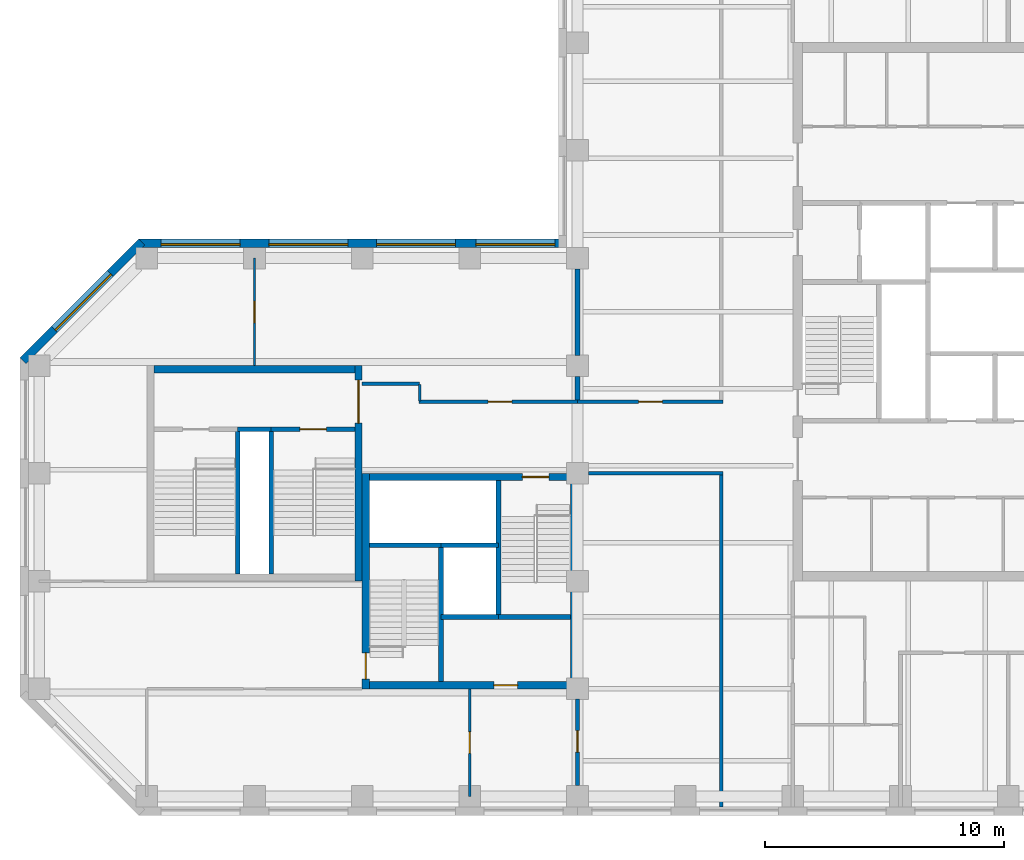
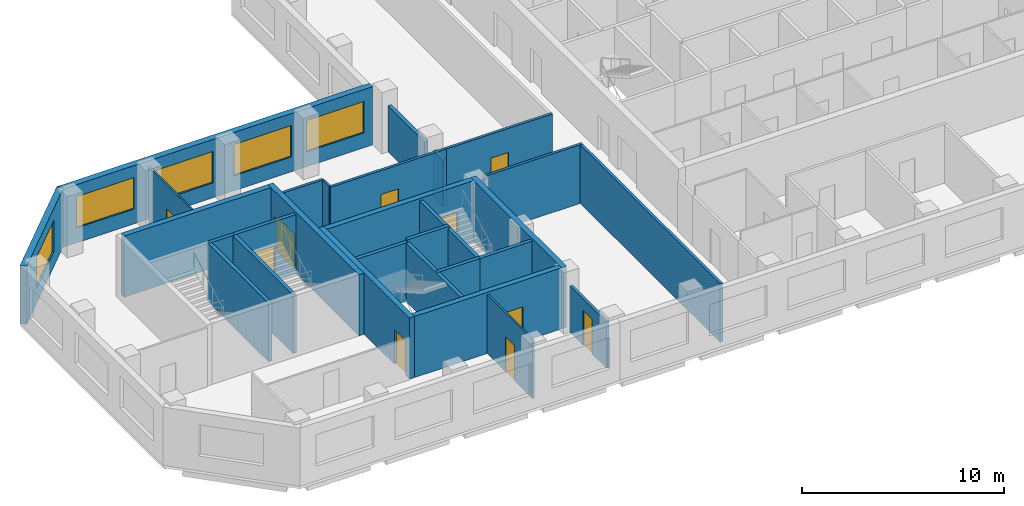
# One storey, part 3 of 9: 29 walls, 10 doors, 5 windows, 15 openings.
"""IFC4 building model written with IfcOpenShell, lengths in metres."""

from ifc_helpers import new_model, si_unit, direction, frame, frame_2d, origin, place, context, subcontext, project, spatial, rectangle, extrude, material, layer, layer_set, constituent, constituent_set, type_object, element, fill, save


model = new_model("IFC4")

# Units and contexts
model_context = context("Model", 3, precision=1e-05, world=origin(), true_north=direction((0.0, 1.0)))
body_context = subcontext(model_context, "Body", "Model", "MODEL_VIEW")
ifc_project = project(units=[si_unit("LENGTHUNIT", "METRE"), si_unit("AREAUNIT", "SQUARE_METRE"), si_unit("VOLUMEUNIT", "CUBIC_METRE"), si_unit("PLANEANGLEUNIT", "RADIAN"), si_unit("MASSUNIT", "GRAM", prefix="KILO")], contexts=[model_context])

# Site, building, storey
site_placement = place(None, origin())
site = spatial("IfcSite", under=ifc_project, at=site_placement, CompositionType="ELEMENT")
building_placement = place(site_placement, origin())
building = spatial("IfcBuilding", under=site, at=building_placement, Name="Quoin Convention Tower", CompositionType="ELEMENT")
storey_placement = place(building_placement, frame((0.0, 0.0, 252.60009765625)))
storey = spatial("IfcBuildingStorey", under=building, at=storey_placement, Name="L66", CompositionType="ELEMENT", Elevation=252.60009765625)

# Wall, openings, windows
ifc_material_1 = material(Name="Brick masonry", Category="masonry")
ifc_layer_1 = layer(ifc_material_1, 0.35009765625)
ifc_layer_set_1 = layer_set([ifc_layer_1], Name="Brick masonry")
wall_type_1 = type_object("IfcWallType", Name="Brick facade wall", PredefinedType="STANDARD", material=ifc_layer_set_1)
wall_1_placement = place(storey_placement, frame((35.550048828125, 63.625, 0.0), z_axis=(0.0, 0.0, 1.0), x_axis=(-1.0, 0.0, 0.0)))
wall_1 = element("IfcWall", 1, at=wall_1_placement, inside=storey, type_object=wall_type_1, Name="fw-L66-36000_63000", PredefinedType="STANDARD", context=body_context, shape_type="SweptSolid", body=[
    extrude(rectangle(XDim=17.88134765625, YDim=0.35009765625, at=frame_2d((8.940673828125, 0.0))), origin(), (0.0, 0.0, 1.0), 3.52490234375),
])
opening_1_placement = place(wall_1_placement, frame((0.5, 0.0, 0.89990234375)))
opening_1 = element("IfcOpeningElement", 2, at=opening_1_placement, cuts=wall_1, Name="Opening W-02", PredefinedType="OPENING", context=body_context, shape_type="SweptSolid", body=[
    extrude(rectangle(XDim=3.300048828125, YDim=1.89990234375, at=frame_2d((1.64990234375, 0.949951171875))), frame((0.0, 0.18505859375, 0.0), z_axis=(0.0, -1.0, 0.0), x_axis=(1.0, 0.0, 0.0)), (0.0, 0.0, 1.0), 0.3701171875),
])
opening_2_placement = place(wall_1_placement, frame((4.64990234375, 0.0, 0.89990234375)))
opening_2 = element("IfcOpeningElement", 3, at=opening_2_placement, cuts=wall_1, Name="Opening W-02", PredefinedType="OPENING", context=body_context, shape_type="SweptSolid", body=[
    extrude(rectangle(XDim=3.300048828125, YDim=1.89990234375, at=frame_2d((1.64990234375, 0.949951171875))), frame((0.0, 0.18505859375, 0.0), z_axis=(0.0, -1.0, 0.0), x_axis=(1.0, 0.0, 0.0)), (0.0, 0.0, 1.0), 0.3701171875),
])
opening_3_placement = place(wall_1_placement, frame((9.14990234375, 0.0, 0.89990234375)))
opening_3 = element("IfcOpeningElement", 4, at=opening_3_placement, cuts=wall_1, Name="Opening W-02", PredefinedType="OPENING", context=body_context, shape_type="SweptSolid", body=[
    extrude(rectangle(XDim=3.300048828125, YDim=1.89990234375, at=frame_2d((1.64990234375, 0.949951171875))), frame((0.0, 0.18505859375, 0.0), z_axis=(0.0, -1.0, 0.0), x_axis=(1.0, 0.0, 0.0)), (0.0, 0.0, 1.0), 0.3701171875),
])
opening_4_placement = place(wall_1_placement, frame((13.64990234375, 0.0, 0.89990234375)))
opening_4 = element("IfcOpeningElement", 5, at=opening_4_placement, cuts=wall_1, Name="Opening W-02", PredefinedType="OPENING", context=body_context, shape_type="SweptSolid", body=[
    extrude(rectangle(XDim=3.300048828125, YDim=1.89990234375, at=frame_2d((1.64990234375, 0.949951171875))), frame((0.0, 0.18505859375, 0.0), z_axis=(0.0, -1.0, 0.0), x_axis=(1.0, 0.0, 0.0)), (0.0, 0.0, 1.0), 0.3701171875),
])
ifc_material_2 = material(Name="Aluminium", Category="aluminium")
ifc_constituent_1 = constituent(ifc_material_2, Name="Frame")
ifc_material_3 = material(Name="Insulated glass", Category="glass")
ifc_constituent_2 = constituent(ifc_material_3, Name="Glazing")
ifc_constituent_set = constituent_set(constituents=[ifc_constituent_1, ifc_constituent_2], Name="Aluminium")
window_type = type_object("IfcWindowType", Name="Office window", PartitioningType="DOUBLE_PANEL_VERTICAL", PredefinedType="WINDOW", material=ifc_constituent_set)
window_1_placement = place(opening_1_placement, origin())
window_1 = element("IfcWindow", 6, at=window_1_placement, inside=storey, type_object=window_type, Name="win-L66-33750_63625", OverallHeight=1.89990234375, OverallWidth=3.300048828125, PartitioningType="SINGLE_PANEL", PredefinedType="WINDOW", context=body_context, shape_type="SweptSolid", body=[
    extrude(rectangle(XDim=3.300048828125, YDim=1.89990234375, at=frame_2d((1.64990234375, 0.949951171875))), frame((0.0, 0.0849609375, 0.0), z_axis=(0.0, -1.0, 0.0), x_axis=(1.0, 0.0, 0.0)), (0.0, 0.0, 1.0), 0.06005859375),
])
fill(opening_1, window_1)
window_2_placement = place(opening_2_placement, origin())
window_2 = element("IfcWindow", 7, at=window_2_placement, inside=storey, type_object=window_type, Name="win-L66-29250_63625", OverallHeight=1.89990234375, OverallWidth=3.300048828125, PartitioningType="SINGLE_PANEL", PredefinedType="WINDOW", context=body_context, shape_type="SweptSolid", body=[
    extrude(rectangle(XDim=3.300048828125, YDim=1.89990234375, at=frame_2d((1.64990234375, 0.949951171875))), frame((0.0, 0.0849609375, 0.0), z_axis=(0.0, -1.0, 0.0), x_axis=(1.0, 0.0, 0.0)), (0.0, 0.0, 1.0), 0.06005859375),
])
fill(opening_2, window_2)
window_3_placement = place(opening_3_placement, origin())
window_3 = element("IfcWindow", 8, at=window_3_placement, inside=storey, type_object=window_type, Name="win-L66-24750_63625", OverallHeight=1.89990234375, OverallWidth=3.300048828125, PartitioningType="SINGLE_PANEL", PredefinedType="WINDOW", context=body_context, shape_type="SweptSolid", body=[
    extrude(rectangle(XDim=3.300048828125, YDim=1.89990234375, at=frame_2d((1.64990234375, 0.949951171875))), frame((0.0, 0.0849609375, 0.0), z_axis=(0.0, -1.0, 0.0), x_axis=(1.0, 0.0, 0.0)), (0.0, 0.0, 1.0), 0.06005859375),
])
fill(opening_3, window_3)
window_4_placement = place(opening_4_placement, origin())
window_4 = element("IfcWindow", 9, at=window_4_placement, inside=storey, type_object=window_type, Name="win-L66-20250_63625", OverallHeight=1.89990234375, OverallWidth=3.300048828125, PartitioningType="SINGLE_PANEL", PredefinedType="WINDOW", context=body_context, shape_type="SweptSolid", body=[
    extrude(rectangle(XDim=3.300048828125, YDim=1.89990234375, at=frame_2d((1.64990234375, 0.949951171875))), frame((0.0, 0.0849609375, 0.0), z_axis=(0.0, -1.0, 0.0), x_axis=(1.0, 0.0, 0.0)), (0.0, 0.0, 1.0), 0.06005859375),
])
fill(opening_4, window_4)

# Wall, opening, window
wall_2_placement = place(storey_placement, frame((17.79248046875, 63.67626953125, 0.0), z_axis=(0.0, 0.0, 1.0), x_axis=(-0.707106781187, -0.707106781187, 0.0)))
wall_2 = element("IfcWall", 10, at=wall_2_placement, inside=storey, type_object=wall_type_1, Name="fw-L66-18000_63000", PredefinedType="STANDARD", context=body_context, shape_type="SweptSolid", body=[
    extrude(rectangle(XDim=7.02685546875, YDim=0.35009765625, at=frame_2d((3.513427734375, 0.0))), origin(), (0.0, 0.0, 1.0), 3.52490234375),
])
opening_5_placement = place(wall_2_placement, frame((1.86328125, 0.0, 0.89990234375)))
opening_5 = element("IfcOpeningElement", 11, at=opening_5_placement, cuts=wall_2, Name="Opening W-02", PredefinedType="OPENING", context=body_context, shape_type="SweptSolid", body=[
    extrude(rectangle(XDim=3.300048828125, YDim=1.89990234375, at=frame_2d((1.64990234375, 0.949951171875))), frame((0.0, 0.18505859375, 0.0), z_axis=(0.0, -1.0, 0.0), x_axis=(1.0, 0.0, 0.0)), (0.0, 0.0, 1.0), 0.3701171875),
])
window_5_placement = place(opening_5_placement, origin())
window_5 = element("IfcWindow", 12, at=window_5_placement, inside=storey, type_object=window_type, Name="win-L66-15308_61192", OverallHeight=1.89990234375, OverallWidth=3.300048828125, PartitioningType="SINGLE_PANEL", PredefinedType="WINDOW", context=body_context, shape_type="SweptSolid", body=[
    extrude(rectangle(XDim=3.300048828125, YDim=1.89990234375, at=frame_2d((1.64990234375, 0.949951171875))), frame((0.0, 0.0849609375, 0.0), z_axis=(0.0, -1.0, 0.0), x_axis=(1.0, 0.0, 0.0)), (0.0, 0.0, 1.0), 0.06005859375),
])
fill(opening_5, window_5)

# Walls
ifc_material_4 = material(Name="Concrete C50", Category="concrete")
ifc_layer_2 = layer(ifc_material_4, 0.199951171875)
ifc_layer_set_2 = layer_set([ifc_layer_2], Name="Concrete C50")
wall_type_2 = type_object("IfcWallType", Name="Core shaft wall", PredefinedType="SOLIDWALL", material=ifc_layer_set_2)
wall_3_placement = place(storey_placement, frame((30.300048828125, 48.0, 0.0), z_axis=(0.0, 0.0, 1.0), x_axis=(1.0, 0.0, 0.0)))
element("IfcWall", 13, at=wall_3_placement, inside=storey, type_object=wall_type_2, Name="cr-P2-L66-h3000_3300", PredefinedType="SOLIDWALL", context=body_context, shape_type="SweptSolid", body=[
    extrude(rectangle(XDim=2.39990234375, YDim=0.199951171875, at=frame_2d((1.199951171875, 0.0))), origin(), (0.0, 0.0, 1.0), 3.5498046875),
])
for number, where, z_axis, x_axis, name in (
    (14, (32.699951171875, 48.0, 0.0), (0.0, 0.0, 1.0), (1.0, 0.0, 0.0), "cr-P2-L66-h3000_5700"),
    (15, (27.300048828125, 51.0, 0.0), (0.0, 0.0, 1.0), (1.0, 0.0, 0.0), "cr-P2-L66-h6000_300"),
):
    element("IfcWall", number, at=place(storey_placement, frame(where, z_axis=z_axis, x_axis=x_axis)), inside=storey, type_object=wall_type_2, Name=name, PredefinedType="SOLIDWALL", context=body_context, shape_type="SweptSolid", body=[
        extrude(rectangle(XDim=3.0, YDim=0.199951171875, at=frame_2d((1.5, 0.0))), origin(), (0.0, 0.0, 1.0), 3.5498046875),
    ])
for number, where, z_axis, x_axis, name in (
    (16, (30.300048828125, 45.300048828125, 0.0), (0.0, 0.0, 1.0), (0.0, 1.0, 0.0), "cr-P2-L66-v3300_300"),
    (17, (32.699951171875, 48.0, 0.0), (0.0, 0.0, 1.0), (0.0, 1.0, 0.0), "cr-P2-L66-v5700_3000"),
):
    element("IfcWall", number, at=place(storey_placement, frame(where, z_axis=z_axis, x_axis=x_axis)), inside=storey, type_object=wall_type_2, Name=name, PredefinedType="SOLIDWALL", context=body_context, shape_type="SweptSolid", body=[
        extrude(rectangle(XDim=5.699951171875, YDim=0.199951171875, at=frame_2d((2.85009765625, 0.0))), origin(), (0.0, 0.0, 1.0), 3.5498046875),
    ])
wall_4_placement = place(storey_placement, frame((21.800048828125, 55.85009765625, 0.0), z_axis=(0.0, 0.0, 1.0), x_axis=(1.0, 0.0, 0.0)))
element("IfcWall", 18, at=wall_4_placement, inside=storey, type_object=wall_type_2, Name="cr-P6-L66-h6350_3800", PredefinedType="SOLIDWALL", context=body_context, shape_type="SweptSolid", body=[
    extrude(rectangle(XDim=1.39990234375, YDim=0.199951171875, at=frame_2d((0.699951171875, 0.0))), origin(), (0.0, 0.0, 1.0), 3.5498046875),
])

# Wall, opening, door
wall_5_placement = place(storey_placement, frame((23.199951171875, 55.85009765625, 0.0), z_axis=(0.0, 0.0, 1.0), x_axis=(1.0, 0.0, 0.0)))
wall_5 = element("IfcWall", 19, at=wall_5_placement, inside=storey, type_object=wall_type_2, Name="cr-P6-L66-h6350_5200", PredefinedType="SOLIDWALL", context=body_context, shape_type="SweptSolid", body=[
    extrude(rectangle(XDim=3.5, YDim=0.199951171875, at=frame_2d((1.75, 0.0))), origin(), (0.0, 0.0, 1.0), 3.5498046875),
])
opening_6_placement = place(wall_5_placement, frame((1.199951171875, 0.0, 0.0)))
opening_6 = element("IfcOpeningElement", 20, at=opening_6_placement, cuts=wall_5, Name="Opening SD12", PredefinedType="OPENING", context=body_context, shape_type="SweptSolid", body=[
    extrude(rectangle(XDim=1.10009765625, YDim=2.10009765625, at=frame_2d((0.550048828125, 1.050048828125))), frame((0.0, 0.10986328125, 0.0), z_axis=(0.0, -1.0, 0.0), x_axis=(1.0, 0.0, 0.0)), (0.0, 0.0, 1.0), 0.219970703125),
])
ifc_material_5 = material(Name="Steel door leaf", Category="steel")
door_type_1 = type_object("IfcDoorType", Name="Stair door 1100 x 2100", OperationType="SINGLE_SWING_RIGHT", PredefinedType="DOOR", material=ifc_material_5)
door_1_placement = place(opening_6_placement, origin())
door_1 = element("IfcDoor", 21, at=door_1_placement, inside=storey, type_object=door_type_1, Name="cd-P6-L66-SB-R2-SD12", OperationType="SINGLE_SWING_RIGHT", OverallHeight=2.10009765625, OverallWidth=1.10009765625, PredefinedType="DOOR", context=body_context, shape_type="SweptSolid", body=[
    extrude(rectangle(XDim=1.10009765625, YDim=2.10009765625, at=frame_2d((0.550048828125, 1.050048828125))), frame((0.0, 0.02490234375, 0.0), z_axis=(0.0, -1.0, 0.0), x_axis=(1.0, 0.0, 0.0)), (0.0, 0.0, 1.0), 0.050048828125),
])
fill(opening_6, door_1)

# Walls
for number, where, z_axis, x_axis, name in (
    (22, (21.800048828125, 49.800048828125, 0.0), (0.0, 0.0, 1.0), (0.0, 1.0, 0.0), "cr-P6-L66-v3800_300"),
    (23, (23.199951171875, 49.800048828125, 0.0), (0.0, 0.0, 1.0), (0.0, 1.0, 0.0), "cr-P6-L66-v5200_300"),
):
    element("IfcWall", number, at=place(storey_placement, frame(where, z_axis=z_axis, x_axis=x_axis)), inside=storey, type_object=wall_type_2, Name=name, PredefinedType="SOLIDWALL", context=body_context, shape_type="SweptSolid", body=[
        extrude(rectangle(XDim=6.050048828125, YDim=0.199951171875, at=frame_2d((3.02490234375, 0.0))), origin(), (0.0, 0.0, 1.0), 3.5498046875),
    ])
ifc_layer_3 = layer(ifc_material_4, 0.199951171875)
ifc_layer_set_3 = layer_set([ifc_layer_3], Name="Concrete C50")
wall_type_3 = type_object("IfcWallType", Name="Core shaft wall to the floor level over", PredefinedType="SOLIDWALL", material=ifc_layer_set_3)
wall_6_placement = place(storey_placement, frame((30.300048828125, 51.0, 0.0), z_axis=(0.0, 0.0, 1.0), x_axis=(1.0, 0.0, 0.0)))
element("IfcWall", 24, at=wall_6_placement, inside=storey, type_object=wall_type_3, Name="cr-P2-L66-h6000_3300", PredefinedType="SOLIDWALL", context=body_context, shape_type="SweptSolid", body=[
    extrude(rectangle(XDim=2.39990234375, YDim=0.199951171875, at=frame_2d((1.199951171875, 0.0))), origin(), (0.0, 0.0, 1.0), 3.699951171875),
])
ifc_material_6 = material(Name="Plasterboard")
ifc_layer_4 = layer(ifc_material_6, 0.012451171875, Name="Finish")
ifc_material_7 = material(Name="Steel stud framing", Category="steel")
ifc_layer_5 = layer(ifc_material_7, 0.125, Name="Structure")
ifc_layer_6 = layer(ifc_material_6, 0.012451171875, Name="Finish")
ifc_layer_set_4 = layer_set([ifc_layer_4, ifc_layer_5, ifc_layer_6], Name="Steel stud framing")
wall_type_4 = type_object("IfcWallType", Name="Corridor wall 150", PredefinedType="PARTITIONING", material=ifc_layer_set_4)
wall_7_placement = place(storey_placement, frame((36.449951171875, 54.0, 0.0), z_axis=(0.0, 0.0, 1.0), x_axis=(1.0, 0.0, 0.0)))
element("IfcWall", 25, at=wall_7_placement, inside=storey, type_object=wall_type_4, Name="pw-L66-016", PredefinedType="PARTITIONING", context=body_context, shape_type="SweptSolid", body=[
    extrude(rectangle(XDim=5.625, YDim=0.14990234375, at=frame_2d((2.8125, 0.0))), origin(), (0.0, 0.0, 1.0), 3.5498046875),
])

# Wall, opening, door
wall_8_placement = place(storey_placement, frame((29.3798828125, 57.0, 0.0), z_axis=(0.0, 0.0, 1.0), x_axis=(1.0, 0.0, 0.0)))
wall_8 = element("IfcWall", 26, at=wall_8_placement, inside=storey, type_object=wall_type_4, Name="pw-L66-018", PredefinedType="PARTITIONING", context=body_context, shape_type="SweptSolid", body=[
    extrude(rectangle(XDim=6.6201171875, YDim=0.14990234375, at=frame_2d((3.31005859375, 0.0))), origin(), (0.0, 0.0, 1.0), 3.5498046875),
])
opening_7_placement = place(wall_8_placement, frame((2.8798828125, 0.0, 0.0)))
opening_7 = element("IfcOpeningElement", 27, at=opening_7_placement, cuts=wall_8, Name="Opening DOH12-05", PredefinedType="OPENING", context=body_context, shape_type="SweptSolid", body=[
    extrude(rectangle(XDim=1.0, YDim=2.10009765625, at=frame_2d((0.5, 1.050048828125))), frame((0.0, 0.0849609375, 0.0), z_axis=(0.0, -1.0, 0.0), x_axis=(1.0, 0.0, 0.0)), (0.0, 0.0, 1.0), 0.169921875),
])
door_type_2 = type_object("IfcDoorType", Name="Tenancy entrance door 1000 x 2100", OperationType="DOUBLE_DOOR_SINGLE_SWING", PredefinedType="DOOR", material=ifc_material_5)
door_2_placement = place(opening_7_placement, origin())
door_2 = element("IfcDoor", 28, at=door_2_placement, inside=storey, type_object=door_type_2, Name="dr-L66-w01", OperationType="DOUBLE_DOOR_SINGLE_SWING", OverallHeight=2.10009765625, OverallWidth=1.0, PredefinedType="DOOR", context=body_context, shape_type="SweptSolid", body=[
    extrude(rectangle(XDim=1.0, YDim=2.10009765625, at=frame_2d((0.5, 1.050048828125))), frame((0.0, 0.02490234375, 0.0), z_axis=(0.0, -1.0, 0.0), x_axis=(1.0, 0.0, 0.0)), (0.0, 0.0, 1.0), 0.050048828125),
])
fill(opening_7, door_2)

wall_9_placement = place(storey_placement, frame((36.0, 57.0, 0.0), z_axis=(0.0, 0.0, 1.0), x_axis=(1.0, 0.0, 0.0)))
wall_9 = element("IfcWall", 29, at=wall_9_placement, inside=storey, type_object=wall_type_4, Name="pw-L66-019", PredefinedType="PARTITIONING", context=body_context, shape_type="SweptSolid", body=[
    extrude(rectangle(XDim=6.074951171875, YDim=0.14990234375, at=frame_2d((3.03759765625, 0.0))), origin(), (0.0, 0.0, 1.0), 3.5498046875),
])
opening_8_placement = place(wall_9_placement, frame((2.550048828125, 0.0, 0.0)))
opening_8 = element("IfcOpeningElement", 30, at=opening_8_placement, cuts=wall_9, Name="Opening DOH12-06", PredefinedType="OPENING", context=body_context, shape_type="SweptSolid", body=[
    extrude(rectangle(XDim=1.0, YDim=2.10009765625, at=frame_2d((0.5, 1.050048828125))), frame((0.0, 0.0849609375, 0.0), z_axis=(0.0, -1.0, 0.0), x_axis=(1.0, 0.0, 0.0)), (0.0, 0.0, 1.0), 0.169921875),
])
door_3_placement = place(opening_8_placement, origin())
door_3 = element("IfcDoor", 31, at=door_3_placement, inside=storey, type_object=door_type_2, Name="dr-L66-10", OperationType="DOUBLE_DOOR_SINGLE_SWING", OverallHeight=2.10009765625, OverallWidth=1.0, PredefinedType="DOOR", context=body_context, shape_type="SweptSolid", body=[
    extrude(rectangle(XDim=1.0, YDim=2.10009765625, at=frame_2d((0.5, 1.050048828125))), frame((0.0, 0.02490234375, 0.0), z_axis=(0.0, -1.0, 0.0), x_axis=(1.0, 0.0, 0.0)), (0.0, 0.0, 1.0), 0.050048828125),
])
fill(opening_8, door_3)

# Walls
wall_10_placement = place(storey_placement, frame((42.0, 40.050048828125, 0.0), z_axis=(0.0, 0.0, 1.0), x_axis=(0.0, 1.0, 0.0)))
element("IfcWall", 32, at=wall_10_placement, inside=storey, type_object=wall_type_4, Name="pw-L66-034", PredefinedType="PARTITIONING", context=body_context, shape_type="SweptSolid", body=[
    extrude(rectangle(XDim=13.875, YDim=0.14990234375, at=frame_2d((6.9375, 0.0))), origin(), (0.0, 0.0, 1.0), 3.5498046875),
])
wall_11_placement = place(storey_placement, frame((27.0, 57.75, 0.0), z_axis=(0.0, 0.0, 1.0), x_axis=(1.0, 0.0, 0.0)))
element("IfcWall", 33, at=wall_11_placement, inside=storey, type_object=wall_type_4, Name="pw-L66-w06", PredefinedType="PARTITIONING", context=body_context, shape_type="SweptSolid", body=[
    extrude(rectangle(XDim=2.39990234375, YDim=0.14990234375, at=frame_2d((1.199951171875, 0.0))), origin(), (0.0, 0.0, 1.0), 3.5498046875),
])

# Wall, opening, door
ifc_layer_7 = layer(ifc_material_6, 0.012451171875, Name="Finish")
ifc_layer_8 = layer(ifc_material_7, 0.125, Name="Structure")
ifc_layer_9 = layer(ifc_material_6, 0.012451171875, Name="Finish")
ifc_layer_set_5 = layer_set([ifc_layer_7, ifc_layer_8, ifc_layer_9], Name="Steel stud framing")
wall_type_5 = type_object("IfcWallType", Name="Corridor wall 150 under beam 750", PredefinedType="PARTITIONING", material=ifc_layer_set_5)
wall_12_placement = place(storey_placement, frame((36.0, 40.949951171875, 0.0), z_axis=(0.0, 0.0, 1.0), x_axis=(0.0, 1.0, 0.0)))
wall_12 = element("IfcWall", 34, at=wall_12_placement, inside=storey, type_object=wall_type_5, Name="pw-L66-041", PredefinedType="PARTITIONING", context=body_context, shape_type="SweptSolid", body=[
    extrude(rectangle(XDim=3.630126953125, YDim=0.14990234375, at=frame_2d((1.81494140625, 0.0))), origin(), (0.0, 0.0, 1.0), 2.7998046875),
])
opening_9_placement = place(wall_12_placement, frame((1.39990234375, 0.0, 0.0)))
opening_9 = element("IfcOpeningElement", 35, at=opening_9_placement, cuts=wall_12, Name="Opening DOH12-09", PredefinedType="OPENING", context=body_context, shape_type="SweptSolid", body=[
    extrude(rectangle(XDim=0.89990234375, YDim=2.10009765625, at=frame_2d((0.449951171875, 1.050048828125))), frame((0.0, 0.0849609375, 0.0), z_axis=(0.0, -1.0, 0.0), x_axis=(1.0, 0.0, 0.0)), (0.0, 0.0, 1.0), 0.169921875),
])
door_type_3 = type_object("IfcDoorType", Name="Office door 900 x 2100", OperationType="SINGLE_SWING_RIGHT", PredefinedType="DOOR", material=ifc_material_5)
door_4_placement = place(opening_9_placement, frame((0.89990234375, 0.0, 0.0), z_axis=(0.0, 0.0, 1.0), x_axis=(-1.0, 0.0, 0.0)))
door_4 = element("IfcDoor", 36, at=door_4_placement, inside=storey, type_object=door_type_3, Name="dr-L66-01", OperationType="SINGLE_SWING_LEFT", OverallHeight=2.10009765625, OverallWidth=0.89990234375, PredefinedType="DOOR", context=body_context, shape_type="SweptSolid", body=[
    extrude(rectangle(XDim=0.89990234375, YDim=2.10009765625, at=frame_2d((0.449951171875, 1.050048828125))), frame((0.0, 0.02490234375, 0.0), z_axis=(0.0, -1.0, 0.0), x_axis=(1.0, 0.0, 0.0)), (0.0, 0.0, 1.0), 0.050048828125),
])
fill(opening_9, door_4)

ifc_layer_10 = layer(ifc_material_4, 0.300048828125)
ifc_layer_set_6 = layer_set([ifc_layer_10], Name="Concrete C50")
wall_type_6 = type_object("IfcWallType", Name="RC CORE WALL 300 C50", PredefinedType="SHEAR", material=ifc_layer_set_6)
wall_13_placement = place(storey_placement, frame((27.300048828125, 45.14990234375, 0.0), z_axis=(0.0, 0.0, 1.0), x_axis=(1.0, 0.0, 0.0)))
wall_13 = element("IfcWall", 37, at=wall_13_placement, inside=storey, type_object=wall_type_6, Name="cwl-P2-L66-S", PredefinedType="SHEAR", context=body_context, shape_type="SweptSolid", body=[
    extrude(rectangle(XDim=8.39990234375, YDim=0.300048828125, at=frame_2d((4.199951171875, 0.0))), origin(), (0.0, 0.0, 1.0), 3.699951171875),
])
opening_10_placement = place(wall_13_placement, frame((5.199951171875, 0.0, 0.0)))
opening_10 = element("IfcOpeningElement", 38, at=opening_10_placement, cuts=wall_13, Name="Opening DCV4-42", PredefinedType="OPENING", context=body_context, shape_type="SweptSolid", body=[
    extrude(rectangle(XDim=1.0, YDim=2.10009765625, at=frame_2d((0.5, 1.050048828125))), frame((0.0, 0.159912109375, 0.0), z_axis=(0.0, -1.0, 0.0), x_axis=(1.0, 0.0, 0.0)), (0.0, 0.0, 1.0), 0.320068359375),
])
door_type_4 = type_object("IfcDoorType", Name="Service door 1000 x 2100", OperationType="SINGLE_SWING_LEFT", PredefinedType="DOOR", material=ifc_material_5)
door_5_placement = place(opening_10_placement, frame((1.0, 0.0, 0.0), z_axis=(0.0, 0.0, 1.0), x_axis=(-1.0, 0.0, 0.0)))
door_5 = element("IfcDoor", 39, at=door_5_placement, inside=storey, type_object=door_type_4, Name="cd-P2-L66-R2-S", OperationType="SINGLE_SWING_RIGHT", OverallHeight=2.10009765625, OverallWidth=1.0, PredefinedType="DOOR", context=body_context, shape_type="SweptSolid", body=[
    extrude(rectangle(XDim=1.0, YDim=2.10009765625, at=frame_2d((0.5, 1.050048828125))), frame((0.0, 0.02490234375, 0.0), z_axis=(0.0, -1.0, 0.0), x_axis=(1.0, 0.0, 0.0)), (0.0, 0.0, 1.0), 0.050048828125),
])
fill(opening_10, door_5)

wall_14_placement = place(storey_placement, frame((27.300048828125, 53.85009765625, 0.0), z_axis=(0.0, 0.0, 1.0), x_axis=(1.0, 0.0, 0.0)))
wall_14 = element("IfcWall", 40, at=wall_14_placement, inside=storey, type_object=wall_type_6, Name="cwl-P2-L66-N", PredefinedType="SHEAR", context=body_context, shape_type="SweptSolid", body=[
    extrude(rectangle(XDim=8.39990234375, YDim=0.300048828125, at=frame_2d((4.199951171875, 0.0))), origin(), (0.0, 0.0, 1.0), 3.699951171875),
])
opening_11_placement = place(wall_14_placement, frame((6.39990234375, 0.0, 0.0)))
opening_11 = element("IfcOpeningElement", 41, at=opening_11_placement, cuts=wall_14, Name="Opening SD4", PredefinedType="OPENING", context=body_context, shape_type="SweptSolid", body=[
    extrude(rectangle(XDim=1.10009765625, YDim=2.10009765625, at=frame_2d((0.550048828125, 1.050048828125))), frame((0.0, 0.159912109375, 0.0), z_axis=(0.0, -1.0, 0.0), x_axis=(1.0, 0.0, 0.0)), (0.0, 0.0, 1.0), 0.320068359375),
])
door_6_placement = place(opening_11_placement, frame((1.10009765625, 0.0, 0.0), z_axis=(0.0, 0.0, 1.0), x_axis=(-1.0, 0.0, 0.0)))
door_6 = element("IfcDoor", 42, at=door_6_placement, inside=storey, type_object=door_type_1, Name="cd-P2-L66-SB-N", OperationType="SINGLE_SWING_LEFT", OverallHeight=2.10009765625, OverallWidth=1.10009765625, PredefinedType="DOOR", context=body_context, shape_type="SweptSolid", body=[
    extrude(rectangle(XDim=1.10009765625, YDim=2.10009765625, at=frame_2d((0.550048828125, 1.050048828125))), frame((0.0, 0.02490234375, 0.0), z_axis=(0.0, -1.0, 0.0), x_axis=(1.0, 0.0, 0.0)), (0.0, 0.0, 1.0), 0.050048828125),
])
fill(opening_11, door_6)

wall_15_placement = place(storey_placement, frame((27.14990234375, 45.0, 0.0), z_axis=(0.0, 0.0, 1.0), x_axis=(0.0, 1.0, 0.0)))
wall_15 = element("IfcWall", 43, at=wall_15_placement, inside=storey, type_object=wall_type_6, Name="cwl-P2-L66-W", PredefinedType="SHEAR", context=body_context, shape_type="SweptSolid", body=[
    extrude(rectangle(XDim=9.0, YDim=0.300048828125, at=frame_2d((4.5, 0.0))), origin(), (0.0, 0.0, 1.0), 3.699951171875),
])
opening_12_placement = place(wall_15_placement, frame((0.39990234375, 0.0, 0.0)))
opening_12 = element("IfcOpeningElement", 44, at=opening_12_placement, cuts=wall_15, Name="Opening SD3", PredefinedType="OPENING", context=body_context, shape_type="SweptSolid", body=[
    extrude(rectangle(XDim=1.10009765625, YDim=2.10009765625, at=frame_2d((0.550048828125, 1.050048828125))), frame((0.0, 0.159912109375, 0.0), z_axis=(0.0, -1.0, 0.0), x_axis=(1.0, 0.0, 0.0)), (0.0, 0.0, 1.0), 0.320068359375),
])
door_7_placement = place(opening_12_placement, frame((1.10009765625, 0.0, 0.0), z_axis=(0.0, 0.0, 1.0), x_axis=(-1.0, 0.0, 0.0)))
door_7 = element("IfcDoor", 45, at=door_7_placement, inside=storey, type_object=door_type_1, Name="cd-P2-L66-SA-W", OperationType="SINGLE_SWING_RIGHT", OverallHeight=2.10009765625, OverallWidth=1.10009765625, PredefinedType="DOOR", context=body_context, shape_type="SweptSolid", body=[
    extrude(rectangle(XDim=1.10009765625, YDim=2.10009765625, at=frame_2d((0.550048828125, 1.050048828125))), frame((0.0, 0.02490234375, 0.0), z_axis=(0.0, -1.0, 0.0), x_axis=(1.0, 0.0, 0.0)), (0.0, 0.0, 1.0), 0.050048828125),
])
fill(opening_12, door_7)

# Walls
wall_16_placement = place(storey_placement, frame((35.85009765625, 45.0, 0.0), z_axis=(0.0, 0.0, 1.0), x_axis=(0.0, 1.0, 0.0)))
element("IfcWall", 46, at=wall_16_placement, inside=storey, type_object=wall_type_6, Name="cwl-P2-L66-E", PredefinedType="SHEAR", context=body_context, shape_type="SweptSolid", body=[
    extrude(rectangle(XDim=9.0, YDim=0.300048828125, at=frame_2d((4.5, 0.0))), origin(), (0.0, 0.0, 1.0), 3.699951171875),
])
wall_17_placement = place(storey_placement, frame((18.300048828125, 58.35009765625, 0.0), z_axis=(0.0, 0.0, 1.0), x_axis=(1.0, 0.0, 0.0)))
element("IfcWall", 47, at=wall_17_placement, inside=storey, type_object=wall_type_6, Name="cwl-P6-L66-N", PredefinedType="SHEAR", context=body_context, shape_type="SweptSolid", body=[
    extrude(rectangle(XDim=8.39990234375, YDim=0.300048828125, at=frame_2d((4.199951171875, 0.0))), origin(), (0.0, 0.0, 1.0), 3.699951171875),
])

# Wall, opening, door
wall_18_placement = place(storey_placement, frame((26.85009765625, 49.5, 0.0), z_axis=(0.0, 0.0, 1.0), x_axis=(0.0, 1.0, 0.0)))
wall_18 = element("IfcWall", 48, at=wall_18_placement, inside=storey, type_object=wall_type_6, Name="cwl-P6-L66-E", PredefinedType="SHEAR", context=body_context, shape_type="SweptSolid", body=[
    extrude(rectangle(XDim=9.0, YDim=0.300048828125, at=frame_2d((4.5, 0.0))), origin(), (0.0, 0.0, 1.0), 3.699951171875),
])
opening_13_placement = place(wall_18_placement, frame((6.60009765625, 0.0, 0.0)))
opening_13 = element("IfcOpeningElement", 49, at=opening_13_placement, cuts=wall_18, Name="Opening DCV4-45", PredefinedType="OPENING", context=body_context, shape_type="SweptSolid", body=[
    extrude(rectangle(XDim=1.800048828125, YDim=2.10009765625, at=frame_2d((0.89990234375, 1.050048828125))), frame((0.0, 0.159912109375, 0.0), z_axis=(0.0, -1.0, 0.0), x_axis=(1.0, 0.0, 0.0)), (0.0, 0.0, 1.0), 0.320068359375),
])
door_type_5 = type_object("IfcDoorType", Name="Goods lobby door 1800 x 2100", OperationType="SINGLE_SWING_LEFT", PredefinedType="DOOR", material=ifc_material_5)
door_8_placement = place(opening_13_placement, origin())
door_8 = element("IfcDoor", 50, at=door_8_placement, inside=storey, type_object=door_type_5, Name="cd-P6-L66-R2-E", OperationType="SINGLE_SWING_LEFT", OverallHeight=2.10009765625, OverallWidth=1.800048828125, PredefinedType="DOOR", context=body_context, shape_type="SweptSolid", body=[
    extrude(rectangle(XDim=1.800048828125, YDim=2.10009765625, at=frame_2d((0.89990234375, 1.050048828125))), frame((0.0, 0.02490234375, 0.0), z_axis=(0.0, -1.0, 0.0), x_axis=(1.0, 0.0, 0.0)), (0.0, 0.0, 1.0), 0.050048828125),
])
fill(opening_13, door_8)

ifc_layer_11 = layer(ifc_material_6, 0.012451171875, Name="Finish")
ifc_layer_12 = layer(ifc_material_7, 0.074951171875, Name="Structure")
ifc_layer_13 = layer(ifc_material_6, 0.012451171875, Name="Finish")
ifc_layer_set_7 = layer_set([ifc_layer_11, ifc_layer_12, ifc_layer_13], Name="Steel stud framing")
wall_type_7 = type_object("IfcWallType", Name="Stud partition 100", PredefinedType="PARTITIONING", material=ifc_layer_set_7)
wall_19_placement = place(storey_placement, frame((22.5, 63.0, 0.0), z_axis=(0.0, 0.0, 1.0), x_axis=(0.0, -1.0, 0.0)))
wall_19 = element("IfcWall", 51, at=wall_19_placement, inside=storey, type_object=wall_type_7, Name="pw-L66-w01", PredefinedType="PARTITIONING", context=body_context, shape_type="SweptSolid", body=[
    extrude(rectangle(XDim=4.5, YDim=0.10009765625, at=frame_2d((2.25, 0.0))), origin(), (0.0, 0.0, 1.0), 3.5498046875),
])
opening_14_placement = place(wall_19_placement, frame((1.800048828125, 0.0, 0.0)))
opening_14 = element("IfcOpeningElement", 52, at=opening_14_placement, cuts=wall_19, Name="Opening DOH12-23", PredefinedType="OPENING", context=body_context, shape_type="SweptSolid", body=[
    extrude(rectangle(XDim=0.89990234375, YDim=2.10009765625, at=frame_2d((0.449951171875, 1.050048828125))), frame((0.0, 0.06005859375, 0.0), z_axis=(0.0, -1.0, 0.0), x_axis=(1.0, 0.0, 0.0)), (0.0, 0.0, 1.0), 0.1201171875),
])
door_9_placement = place(opening_14_placement, origin())
door_9 = element("IfcDoor", 53, at=door_9_placement, inside=storey, type_object=door_type_3, Name="dr-L66-w02", OperationType="SINGLE_SWING_LEFT", OverallHeight=2.10009765625, OverallWidth=0.89990234375, PredefinedType="DOOR", context=body_context, shape_type="SweptSolid", body=[
    extrude(rectangle(XDim=0.89990234375, YDim=2.10009765625, at=frame_2d((0.449951171875, 1.050048828125))), frame((0.0, 0.02490234375, 0.0), z_axis=(0.0, -1.0, 0.0), x_axis=(1.0, 0.0, 0.0)), (0.0, 0.0, 1.0), 0.050048828125),
])
fill(opening_14, door_9)

wall_20_placement = place(storey_placement, frame((31.5, 45.0, 0.0), z_axis=(0.0, 0.0, 1.0), x_axis=(0.0, -1.0, 0.0)))
wall_20 = element("IfcWall", 54, at=wall_20_placement, inside=storey, type_object=wall_type_7, Name="pw-L66-w05", PredefinedType="PARTITIONING", context=body_context, shape_type="SweptSolid", body=[
    extrude(rectangle(XDim=4.5, YDim=0.10009765625, at=frame_2d((2.25, 0.0))), origin(), (0.0, 0.0, 1.0), 3.5498046875),
])
opening_15_placement = place(wall_20_placement, frame((1.800048828125, 0.0, 0.0)))
opening_15 = element("IfcOpeningElement", 55, at=opening_15_placement, cuts=wall_20, Name="Opening DOH12-26", PredefinedType="OPENING", context=body_context, shape_type="SweptSolid", body=[
    extrude(rectangle(XDim=0.89990234375, YDim=2.10009765625, at=frame_2d((0.449951171875, 1.050048828125))), frame((0.0, 0.06005859375, 0.0), z_axis=(0.0, -1.0, 0.0), x_axis=(1.0, 0.0, 0.0)), (0.0, 0.0, 1.0), 0.1201171875),
])
door_10_placement = place(opening_15_placement, frame((0.89990234375, 0.0, 0.0), z_axis=(0.0, 0.0, 1.0), x_axis=(-1.0, 0.0, 0.0)))
door_10 = element("IfcDoor", 56, at=door_10_placement, inside=storey, type_object=door_type_3, Name="dr-L66-w05", OperationType="SINGLE_SWING_RIGHT", OverallHeight=2.10009765625, OverallWidth=0.89990234375, PredefinedType="DOOR", context=body_context, shape_type="SweptSolid", body=[
    extrude(rectangle(XDim=0.89990234375, YDim=2.10009765625, at=frame_2d((0.449951171875, 1.050048828125))), frame((0.0, 0.02490234375, 0.0), z_axis=(0.0, -1.0, 0.0), x_axis=(1.0, 0.0, 0.0)), (0.0, 0.0, 1.0), 0.050048828125),
])
fill(opening_15, door_10)

# Walls
wall_21_placement = place(storey_placement, frame((29.39990234375, 57.715087890625, 0.0), z_axis=(0.0, 0.0, 1.0), x_axis=(0.0, -1.0, 0.0)))
element("IfcWall", 57, at=wall_21_placement, inside=storey, type_object=wall_type_7, Name="pw-L66-w07", PredefinedType="PARTITIONING", context=body_context, shape_type="SweptSolid", body=[
    extrude(rectangle(XDim=0.68017578125, YDim=0.10009765625, at=frame_2d((0.340087890625, 0.0))), origin(), (0.0, 0.0, 1.0), 3.5498046875),
])
ifc_layer_14 = layer(ifc_material_6, 0.012451171875, Name="Finish")
ifc_layer_15 = layer(ifc_material_7, 0.175048828125, Name="Structure")
ifc_layer_16 = layer(ifc_material_6, 0.012451171875, Name="Finish")
ifc_layer_set_8 = layer_set([ifc_layer_14, ifc_layer_15, ifc_layer_16], Name="Steel stud framing")
wall_type_8 = type_object("IfcWallType", Name="Tenancy demising wall 200 under beam 750", PredefinedType="PARTITIONING", material=ifc_layer_set_8)
wall_22_placement = place(storey_placement, frame((36.0, 57.074951171875, 0.0), z_axis=(0.0, 0.0, 1.0), x_axis=(0.0, 1.0, 0.0)))
element("IfcWall", 58, at=wall_22_placement, inside=storey, type_object=wall_type_8, Name="pw-L66-057", PredefinedType="PARTITIONING", context=body_context, shape_type="SweptSolid", body=[
    extrude(rectangle(XDim=0.97509765625, YDim=0.199951171875, at=frame_2d((0.487548828125, 0.0))), origin(), (0.0, 0.0, 1.0), 2.7998046875),
])
wall_23_placement = place(storey_placement, frame((36.0, 58.919921875, 0.0), z_axis=(0.0, 0.0, 1.0), x_axis=(0.0, 1.0, 0.0)))
element("IfcWall", 59, at=wall_23_placement, inside=storey, type_object=wall_type_8, Name="pw-L66-059", PredefinedType="PARTITIONING", context=body_context, shape_type="SweptSolid", body=[
    extrude(rectangle(XDim=3.630126953125, YDim=0.199951171875, at=frame_2d((1.81494140625, 0.0))), origin(), (0.0, 0.0, 1.0), 2.7998046875),
])

save(model, "model.ifc")
